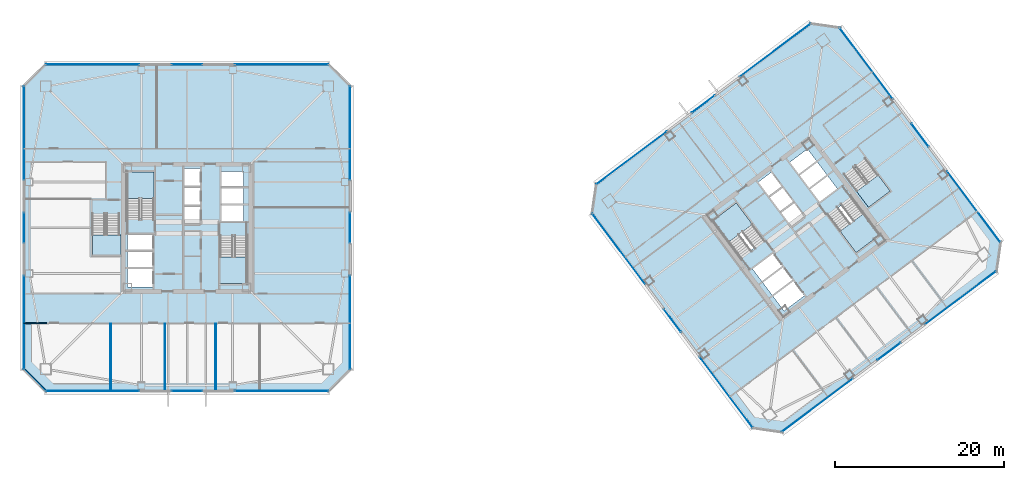
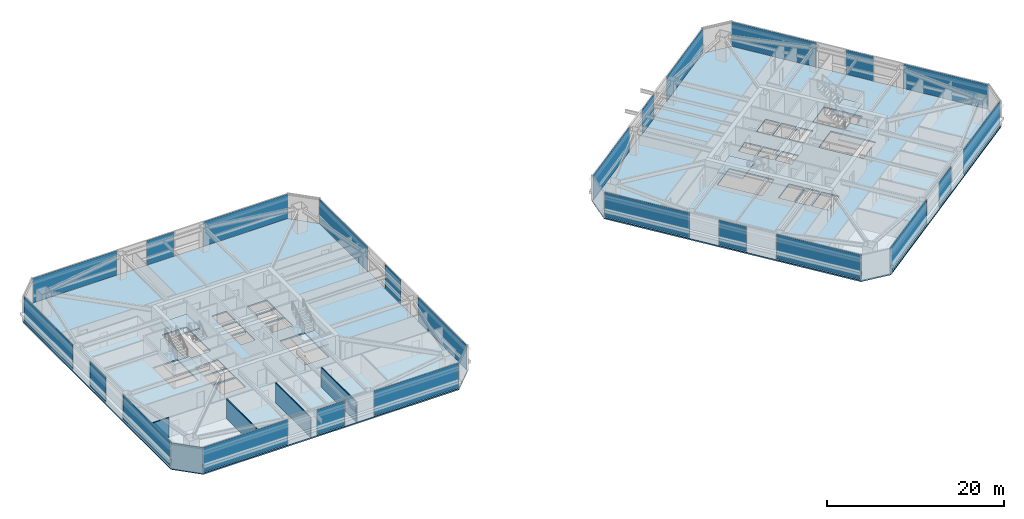
# One storey, part 31 of 42: 24 plates, 8 slabs, 5 walls, 30 elements without a shape of their own.
"""IFC4 building model written with IfcOpenShell, lengths in metres."""

from ifc_helpers import new_model, si_unit, direction, frame, frame_2d, origin, origin_2d, place, context, subcontext, project, spatial, polyline, rectangle, outline, extrude, material, layer, layer_set, type_object, element, aggregate, save


model = new_model("IFC4")

# Units and contexts
model_context = context("Model", 3, precision=1e-05, world=origin(), true_north=direction((0.0, 1.0)))
body_context = subcontext(model_context, "Body", "Model", "MODEL_VIEW")
ifc_project = project(units=[si_unit("LENGTHUNIT", "METRE"), si_unit("AREAUNIT", "SQUARE_METRE"), si_unit("VOLUMEUNIT", "CUBIC_METRE"), si_unit("PLANEANGLEUNIT", "RADIAN"), si_unit("MASSUNIT", "GRAM", prefix="KILO")], contexts=[model_context])

# Site, building, storey
site_placement = place(None, origin())
site = spatial("IfcSite", under=ifc_project, at=site_placement, CompositionType="ELEMENT")
building_placement = place(site_placement, origin())
building = spatial("IfcBuilding", under=site, at=building_placement, Name="Tashvorn Skyway Center", CompositionType="ELEMENT")
storey_placement = place(building_placement, frame((0.0, 0.0, 121.5)))
storey = spatial("IfcBuildingStorey", under=building, at=storey_placement, Name="L32", CompositionType="ELEMENT", Elevation=121.5)

# Curtain wall, plate
ifc_material_1 = material(Name="Thermally broken bronze-anodized aluminium 6063-T6", Category="aluminium")
curtain_wall_type = type_object("IfcCurtainWallType", Name="CW-CW-Z3", PredefinedType="NOTDEFINED", material=ifc_material_1)
curtain_wall_1_placement = place(storey_placement, origin())
curtain_wall_1 = element("IfcCurtainWall", 1, at=curtain_wall_1_placement, inside=storey, type_object=curtain_wall_type, Name="Tower 1 L32 South Unitised Curtain Wall Glazing Group 1", PredefinedType="NOTDEFINED")
ifc_material_2 = material(Name="Low-E solar-control double insulating safety glass", Category="glass")
ifc_layer_1 = layer(ifc_material_2, 0.0400390625)
ifc_layer_set_1 = layer_set([ifc_layer_1], Name="Low-E solar-control double insulating safety glass")
plate_type = type_object("IfcPlateType", Name="CWP-CW-Z3", PredefinedType="CURTAIN_PANEL", material=ifc_layer_set_1)
plate_1_placement = place(storey_placement, frame((53.186767578125, 12.719970703125, 0.074951171875), z_axis=(0.0, 0.0, 1.0), x_axis=(-1.0, 0.0, 0.0)))
plate_1 = element("IfcPlate", 2, at=plate_1_placement, type_object=plate_type, Name="CW-Z3 panel 1.1", PredefinedType="CURTAIN_PANEL", context=body_context, shape_type="SweptSolid", body=[
    extrude(rectangle(XDim=11.03662109375, YDim=0.0400390625, at=origin_2d()), origin(), (0.0, 0.0, 1.0), 3.39990234375),
])
aggregate(curtain_wall_1, [plate_1])

curtain_wall_2_placement = place(storey_placement, origin())
curtain_wall_2 = element("IfcCurtainWall", 3, at=curtain_wall_2_placement, inside=storey, type_object=curtain_wall_type, Name="Tower 1 L32 South Unitised Curtain Wall Glazing Group 2", PredefinedType="NOTDEFINED")
plate_2_placement = place(storey_placement, frame((42.0, 12.719970703125, 0.074951171875), z_axis=(0.0, 0.0, 1.0), x_axis=(-1.0, 0.0, 0.0)))
plate_2 = element("IfcPlate", 4, at=plate_2_placement, type_object=plate_type, Name="CW-Z3 panel 1.1", PredefinedType="CURTAIN_PANEL", context=body_context, shape_type="SweptSolid", body=[
    extrude(rectangle(XDim=3.578857421875, YDim=0.0400390625, at=origin_2d()), origin(), (0.0, 0.0, 1.0), 3.39990234375),
])
aggregate(curtain_wall_2, [plate_2])

curtain_wall_3_placement = place(storey_placement, origin())
curtain_wall_3 = element("IfcCurtainWall", 5, at=curtain_wall_3_placement, inside=storey, type_object=curtain_wall_type, Name="Tower 1 L32 South Unitised Curtain Wall Glazing Group 3", PredefinedType="NOTDEFINED")
plate_3_placement = place(storey_placement, frame((30.813232421875, 12.719970703125, 0.074951171875), z_axis=(0.0, 0.0, 1.0), x_axis=(-1.0, 0.0, 0.0)))
plate_3 = element("IfcPlate", 6, at=plate_3_placement, type_object=plate_type, Name="CW-Z3 panel 1.1", PredefinedType="CURTAIN_PANEL", context=body_context, shape_type="SweptSolid", body=[
    extrude(rectangle(XDim=11.03662109375, YDim=0.0400390625, at=origin_2d()), origin(), (0.0, 0.0, 1.0), 3.39990234375),
])
aggregate(curtain_wall_3, [plate_3])

curtain_wall_4_placement = place(storey_placement, origin())
curtain_wall_4 = element("IfcCurtainWall", 7, at=curtain_wall_4_placement, inside=storey, type_object=curtain_wall_type, Name="Tower 1 L32 West Unitised Curtain Wall Glazing Group 1", PredefinedType="NOTDEFINED")
plate_4_placement = place(storey_placement, frame((22.719970703125, 20.813232421875, 0.074951171875), z_axis=(0.0, 0.0, 1.0), x_axis=(0.0, 1.0, 0.0)))
plate_4 = element("IfcPlate", 8, at=plate_4_placement, type_object=plate_type, Name="CW-Z3 panel 1.1", PredefinedType="CURTAIN_PANEL", context=body_context, shape_type="SweptSolid", body=[
    extrude(rectangle(XDim=11.03662109375, YDim=0.0400390625, at=origin_2d()), origin(), (0.0, 0.0, 1.0), 3.39990234375),
])
aggregate(curtain_wall_4, [plate_4])

curtain_wall_5_placement = place(storey_placement, origin())
curtain_wall_5 = element("IfcCurtainWall", 9, at=curtain_wall_5_placement, inside=storey, type_object=curtain_wall_type, Name="Tower 1 L32 West Unitised Curtain Wall Glazing Group 2", PredefinedType="NOTDEFINED")
plate_5_placement = place(storey_placement, frame((22.719970703125, 32.0, 0.074951171875), z_axis=(0.0, 0.0, 1.0), x_axis=(0.0, 1.0, 0.0)))
plate_5 = element("IfcPlate", 10, at=plate_5_placement, type_object=plate_type, Name="CW-Z3 panel 1.1", PredefinedType="CURTAIN_PANEL", context=body_context, shape_type="SweptSolid", body=[
    extrude(rectangle(XDim=3.578857421875, YDim=0.0400390625, at=origin_2d()), origin(), (0.0, 0.0, 1.0), 3.39990234375),
])
aggregate(curtain_wall_5, [plate_5])

curtain_wall_6_placement = place(storey_placement, origin())
curtain_wall_6 = element("IfcCurtainWall", 11, at=curtain_wall_6_placement, inside=storey, type_object=curtain_wall_type, Name="Tower 1 L32 West Unitised Curtain Wall Glazing Group 3", PredefinedType="NOTDEFINED")
plate_6_placement = place(storey_placement, frame((22.719970703125, 43.186767578125, 0.074951171875), z_axis=(0.0, 0.0, 1.0), x_axis=(0.0, 1.0, 0.0)))
plate_6 = element("IfcPlate", 12, at=plate_6_placement, type_object=plate_type, Name="CW-Z3 panel 1.1", PredefinedType="CURTAIN_PANEL", context=body_context, shape_type="SweptSolid", body=[
    extrude(rectangle(XDim=11.03662109375, YDim=0.0400390625, at=origin_2d()), origin(), (0.0, 0.0, 1.0), 3.39990234375),
])
aggregate(curtain_wall_6, [plate_6])

curtain_wall_7_placement = place(storey_placement, origin())
curtain_wall_7 = element("IfcCurtainWall", 13, at=curtain_wall_7_placement, inside=storey, type_object=curtain_wall_type, Name="Tower 1 L32 North Unitised Curtain Wall Glazing Group 1", PredefinedType="NOTDEFINED")
plate_7_placement = place(storey_placement, frame((30.813232421875, 51.280029296875, 0.074951171875), z_axis=(0.0, 0.0, 1.0), x_axis=(1.0, 0.0, 0.0)))
plate_7 = element("IfcPlate", 14, at=plate_7_placement, type_object=plate_type, Name="CW-Z3 panel 1.1", PredefinedType="CURTAIN_PANEL", context=body_context, shape_type="SweptSolid", body=[
    extrude(rectangle(XDim=11.03662109375, YDim=0.0400390625, at=origin_2d()), origin(), (0.0, 0.0, 1.0), 3.39990234375),
])
aggregate(curtain_wall_7, [plate_7])

curtain_wall_8_placement = place(storey_placement, origin())
curtain_wall_8 = element("IfcCurtainWall", 15, at=curtain_wall_8_placement, inside=storey, type_object=curtain_wall_type, Name="Tower 1 L32 North Unitised Curtain Wall Glazing Group 2", PredefinedType="NOTDEFINED")
plate_8_placement = place(storey_placement, frame((42.0, 51.280029296875, 0.074951171875), z_axis=(0.0, 0.0, 1.0), x_axis=(1.0, 0.0, 0.0)))
plate_8 = element("IfcPlate", 16, at=plate_8_placement, type_object=plate_type, Name="CW-Z3 panel 1.1", PredefinedType="CURTAIN_PANEL", context=body_context, shape_type="SweptSolid", body=[
    extrude(rectangle(XDim=3.578857421875, YDim=0.0400390625, at=origin_2d()), origin(), (0.0, 0.0, 1.0), 3.39990234375),
])
aggregate(curtain_wall_8, [plate_8])

curtain_wall_9_placement = place(storey_placement, origin())
curtain_wall_9 = element("IfcCurtainWall", 17, at=curtain_wall_9_placement, inside=storey, type_object=curtain_wall_type, Name="Tower 1 L32 North Unitised Curtain Wall Glazing Group 3", PredefinedType="NOTDEFINED")
plate_9_placement = place(storey_placement, frame((53.186767578125, 51.280029296875, 0.074951171875), z_axis=(0.0, 0.0, 1.0), x_axis=(1.0, 0.0, 0.0)))
plate_9 = element("IfcPlate", 18, at=plate_9_placement, type_object=plate_type, Name="CW-Z3 panel 1.1", PredefinedType="CURTAIN_PANEL", context=body_context, shape_type="SweptSolid", body=[
    extrude(rectangle(XDim=11.03662109375, YDim=0.0400390625, at=origin_2d()), origin(), (0.0, 0.0, 1.0), 3.39990234375),
])
aggregate(curtain_wall_9, [plate_9])

curtain_wall_10_placement = place(storey_placement, origin())
curtain_wall_10 = element("IfcCurtainWall", 19, at=curtain_wall_10_placement, inside=storey, type_object=curtain_wall_type, Name="Tower 1 L32 East Unitised Curtain Wall Glazing Group 1", PredefinedType="NOTDEFINED")
plate_10_placement = place(storey_placement, frame((61.280029296875, 43.186767578125, 0.074951171875), z_axis=(0.0, 0.0, 1.0), x_axis=(0.0, -1.0, 0.0)))
plate_10 = element("IfcPlate", 20, at=plate_10_placement, type_object=plate_type, Name="CW-Z3 panel 1.1", PredefinedType="CURTAIN_PANEL", context=body_context, shape_type="SweptSolid", body=[
    extrude(rectangle(XDim=11.03662109375, YDim=0.0400390625, at=origin_2d()), origin(), (0.0, 0.0, 1.0), 3.39990234375),
])
aggregate(curtain_wall_10, [plate_10])

curtain_wall_11_placement = place(storey_placement, origin())
curtain_wall_11 = element("IfcCurtainWall", 21, at=curtain_wall_11_placement, inside=storey, type_object=curtain_wall_type, Name="Tower 1 L32 East Unitised Curtain Wall Glazing Group 2", PredefinedType="NOTDEFINED")
plate_11_placement = place(storey_placement, frame((61.280029296875, 32.0, 0.074951171875), z_axis=(0.0, 0.0, 1.0), x_axis=(0.0, -1.0, 0.0)))
plate_11 = element("IfcPlate", 22, at=plate_11_placement, type_object=plate_type, Name="CW-Z3 panel 1.1", PredefinedType="CURTAIN_PANEL", context=body_context, shape_type="SweptSolid", body=[
    extrude(rectangle(XDim=3.578857421875, YDim=0.0400390625, at=origin_2d()), origin(), (0.0, 0.0, 1.0), 3.39990234375),
])
aggregate(curtain_wall_11, [plate_11])

curtain_wall_12_placement = place(storey_placement, origin())
curtain_wall_12 = element("IfcCurtainWall", 23, at=curtain_wall_12_placement, inside=storey, type_object=curtain_wall_type, Name="Tower 1 L32 East Unitised Curtain Wall Glazing Group 3", PredefinedType="NOTDEFINED")
plate_12_placement = place(storey_placement, frame((61.280029296875, 20.813232421875, 0.074951171875), z_axis=(0.0, 0.0, 1.0), x_axis=(0.0, -1.0, 0.0)))
plate_12 = element("IfcPlate", 24, at=plate_12_placement, type_object=plate_type, Name="CW-Z3 panel 1.1", PredefinedType="CURTAIN_PANEL", context=body_context, shape_type="SweptSolid", body=[
    extrude(rectangle(XDim=11.03662109375, YDim=0.0400390625, at=origin_2d()), origin(), (0.0, 0.0, 1.0), 3.39990234375),
])
aggregate(curtain_wall_12, [plate_12])

curtain_wall_13_placement = place(storey_placement, origin())
curtain_wall_13 = element("IfcCurtainWall", 25, at=curtain_wall_13_placement, inside=storey, type_object=curtain_wall_type, Name="Tower 2 L32 South Unitised Curtain Wall Glazing Group 1", PredefinedType="NOTDEFINED")
plate_13_placement = place(storey_placement, frame((133.437255859375, 23.72802734375, 0.074951171875), z_axis=(0.0, 0.0, 1.0), x_axis=(-0.799998866489, -0.600001511345, 0.0)))
plate_13 = element("IfcPlate", 26, at=plate_13_placement, type_object=plate_type, Name="CW-Z3 panel 1.1", PredefinedType="CURTAIN_PANEL", context=body_context, shape_type="SweptSolid", body=[
    extrude(rectangle(XDim=10.4365234375, YDim=0.0400390625, at=origin_2d()), origin(), (0.0, 0.0, 1.0), 3.39990234375),
])
aggregate(curtain_wall_13, [plate_13])

curtain_wall_14_placement = place(storey_placement, origin())
curtain_wall_14 = element("IfcCurtainWall", 27, at=curtain_wall_14_placement, inside=storey, type_object=curtain_wall_type, Name="Tower 2 L32 South Unitised Curtain Wall Glazing Group 2", PredefinedType="NOTDEFINED")
plate_14_placement = place(storey_placement, frame((124.968017578125, 17.3759765625, 0.074951171875), z_axis=(0.0, 0.0, 1.0), x_axis=(-0.799999999998, -0.600000000002, 0.0)))
plate_14 = element("IfcPlate", 28, at=plate_14_placement, type_object=plate_type, Name="CW-Z3 panel 1.1", PredefinedType="CURTAIN_PANEL", context=body_context, shape_type="SweptSolid", body=[
    extrude(rectangle(XDim=3.37890625, YDim=0.0400390625, at=origin_2d()), origin(), (0.0, 0.0, 1.0), 3.39990234375),
])
aggregate(curtain_wall_14, [plate_14])

curtain_wall_15_placement = place(storey_placement, origin())
curtain_wall_15 = element("IfcCurtainWall", 29, at=curtain_wall_15_placement, inside=storey, type_object=curtain_wall_type, Name="Tower 2 L32 South Unitised Curtain Wall Glazing Group 3", PredefinedType="NOTDEFINED")
plate_15_placement = place(storey_placement, frame((116.49853515625, 11.02392578125, 0.074951171875), z_axis=(0.0, 0.0, 1.0), x_axis=(-0.799998866489, -0.600001511345, 0.0)))
plate_15 = element("IfcPlate", 30, at=plate_15_placement, type_object=plate_type, Name="CW-Z3 panel 1.1", PredefinedType="CURTAIN_PANEL", context=body_context, shape_type="SweptSolid", body=[
    extrude(rectangle(XDim=10.4365234375, YDim=0.0400390625, at=origin_2d()), origin(), (0.0, 0.0, 1.0), 3.39990234375),
])
aggregate(curtain_wall_15, [plate_15])

curtain_wall_16_placement = place(storey_placement, origin())
curtain_wall_16 = element("IfcCurtainWall", 31, at=curtain_wall_16_placement, inside=storey, type_object=curtain_wall_type, Name="Tower 2 L32 West Unitised Curtain Wall Glazing Group 1", PredefinedType="NOTDEFINED")
plate_16_placement = place(storey_placement, frame((105.72802734375, 12.562744140625, 0.074951171875), z_axis=(0.0, 0.0, 1.0), x_axis=(-0.600001511345, 0.799998866489, 0.0)))
plate_16 = element("IfcPlate", 32, at=plate_16_placement, type_object=plate_type, Name="CW-Z3 panel 1.1", PredefinedType="CURTAIN_PANEL", context=body_context, shape_type="SweptSolid", body=[
    extrude(rectangle(XDim=10.4365234375, YDim=0.0400390625, at=origin_2d()), origin(), (0.0, 0.0, 1.0), 3.39990234375),
])
aggregate(curtain_wall_16, [plate_16])

curtain_wall_17_placement = place(storey_placement, origin())
curtain_wall_17 = element("IfcCurtainWall", 33, at=curtain_wall_17_placement, inside=storey, type_object=curtain_wall_type, Name="Tower 2 L32 West Unitised Curtain Wall Glazing Group 2", PredefinedType="NOTDEFINED")
plate_17_placement = place(storey_placement, frame((99.3759765625, 21.031982421875, 0.074951171875), z_axis=(0.0, 0.0, 1.0), x_axis=(-0.600000000002, 0.799999999998, 0.0)))
plate_17 = element("IfcPlate", 34, at=plate_17_placement, type_object=plate_type, Name="CW-Z3 panel 1.1", PredefinedType="CURTAIN_PANEL", context=body_context, shape_type="SweptSolid", body=[
    extrude(rectangle(XDim=3.37890625, YDim=0.0400390625, at=origin_2d()), origin(), (0.0, 0.0, 1.0), 3.39990234375),
])
aggregate(curtain_wall_17, [plate_17])

curtain_wall_18_placement = place(storey_placement, origin())
curtain_wall_18 = element("IfcCurtainWall", 35, at=curtain_wall_18_placement, inside=storey, type_object=curtain_wall_type, Name="Tower 2 L32 West Unitised Curtain Wall Glazing Group 3", PredefinedType="NOTDEFINED")
plate_18_placement = place(storey_placement, frame((93.02392578125, 29.50146484375, 0.074951171875), z_axis=(0.0, 0.0, 1.0), x_axis=(-0.600001511345, 0.799998866489, 0.0)))
plate_18 = element("IfcPlate", 36, at=plate_18_placement, type_object=plate_type, Name="CW-Z3 panel 1.1", PredefinedType="CURTAIN_PANEL", context=body_context, shape_type="SweptSolid", body=[
    extrude(rectangle(XDim=10.4365234375, YDim=0.0400390625, at=origin_2d()), origin(), (0.0, 0.0, 1.0), 3.39990234375),
])
aggregate(curtain_wall_18, [plate_18])

curtain_wall_19_placement = place(storey_placement, origin())
curtain_wall_19 = element("IfcCurtainWall", 37, at=curtain_wall_19_placement, inside=storey, type_object=curtain_wall_type, Name="Tower 2 L32 North Unitised Curtain Wall Glazing Group 1", PredefinedType="NOTDEFINED")
plate_19_placement = place(storey_placement, frame((94.562744140625, 40.27197265625, 0.074951171875), z_axis=(0.0, 0.0, 1.0), x_axis=(0.799998866489, 0.600001511345, 0.0)))
plate_19 = element("IfcPlate", 38, at=plate_19_placement, type_object=plate_type, Name="CW-Z3 panel 1.1", PredefinedType="CURTAIN_PANEL", context=body_context, shape_type="SweptSolid", body=[
    extrude(rectangle(XDim=10.4365234375, YDim=0.0400390625, at=origin_2d()), origin(), (0.0, 0.0, 1.0), 3.39990234375),
])
aggregate(curtain_wall_19, [plate_19])

curtain_wall_20_placement = place(storey_placement, origin())
curtain_wall_20 = element("IfcCurtainWall", 39, at=curtain_wall_20_placement, inside=storey, type_object=curtain_wall_type, Name="Tower 2 L32 North Unitised Curtain Wall Glazing Group 2", PredefinedType="NOTDEFINED")
plate_20_placement = place(storey_placement, frame((103.031982421875, 46.6240234375, 0.074951171875), z_axis=(0.0, 0.0, 1.0), x_axis=(0.799999999998, 0.600000000002, 0.0)))
plate_20 = element("IfcPlate", 40, at=plate_20_placement, type_object=plate_type, Name="CW-Z3 panel 1.1", PredefinedType="CURTAIN_PANEL", context=body_context, shape_type="SweptSolid", body=[
    extrude(rectangle(XDim=3.37890625, YDim=0.0400390625, at=origin_2d()), origin(), (0.0, 0.0, 1.0), 3.39990234375),
])
aggregate(curtain_wall_20, [plate_20])

curtain_wall_21_placement = place(storey_placement, origin())
curtain_wall_21 = element("IfcCurtainWall", 41, at=curtain_wall_21_placement, inside=storey, type_object=curtain_wall_type, Name="Tower 2 L32 North Unitised Curtain Wall Glazing Group 3", PredefinedType="NOTDEFINED")
plate_21_placement = place(storey_placement, frame((111.50146484375, 52.97607421875, 0.074951171875), z_axis=(0.0, 0.0, 1.0), x_axis=(0.799998866489, 0.600001511345, 0.0)))
plate_21 = element("IfcPlate", 42, at=plate_21_placement, type_object=plate_type, Name="CW-Z3 panel 1.1", PredefinedType="CURTAIN_PANEL", context=body_context, shape_type="SweptSolid", body=[
    extrude(rectangle(XDim=10.4365234375, YDim=0.0400390625, at=origin_2d()), origin(), (0.0, 0.0, 1.0), 3.39990234375),
])
aggregate(curtain_wall_21, [plate_21])

curtain_wall_22_placement = place(storey_placement, origin())
curtain_wall_22 = element("IfcCurtainWall", 43, at=curtain_wall_22_placement, inside=storey, type_object=curtain_wall_type, Name="Tower 2 L32 East Unitised Curtain Wall Glazing Group 1", PredefinedType="NOTDEFINED")
plate_22_placement = place(storey_placement, frame((122.27197265625, 51.437255859375, 0.074951171875), z_axis=(0.0, 0.0, 1.0), x_axis=(0.600001511345, -0.799998866489, 0.0)))
plate_22 = element("IfcPlate", 44, at=plate_22_placement, type_object=plate_type, Name="CW-Z3 panel 1.1", PredefinedType="CURTAIN_PANEL", context=body_context, shape_type="SweptSolid", body=[
    extrude(rectangle(XDim=10.4365234375, YDim=0.0400390625, at=origin_2d()), origin(), (0.0, 0.0, 1.0), 3.39990234375),
])
aggregate(curtain_wall_22, [plate_22])

curtain_wall_23_placement = place(storey_placement, origin())
curtain_wall_23 = element("IfcCurtainWall", 45, at=curtain_wall_23_placement, inside=storey, type_object=curtain_wall_type, Name="Tower 2 L32 East Unitised Curtain Wall Glazing Group 2", PredefinedType="NOTDEFINED")
plate_23_placement = place(storey_placement, frame((128.6240234375, 42.968017578125, 0.074951171875), z_axis=(0.0, 0.0, 1.0), x_axis=(0.600000000002, -0.799999999998, 0.0)))
plate_23 = element("IfcPlate", 46, at=plate_23_placement, type_object=plate_type, Name="CW-Z3 panel 1.1", PredefinedType="CURTAIN_PANEL", context=body_context, shape_type="SweptSolid", body=[
    extrude(rectangle(XDim=3.37890625, YDim=0.0400390625, at=origin_2d()), origin(), (0.0, 0.0, 1.0), 3.39990234375),
])
aggregate(curtain_wall_23, [plate_23])

curtain_wall_24_placement = place(storey_placement, origin())
curtain_wall_24 = element("IfcCurtainWall", 47, at=curtain_wall_24_placement, inside=storey, type_object=curtain_wall_type, Name="Tower 2 L32 East Unitised Curtain Wall Glazing Group 3", PredefinedType="NOTDEFINED")
plate_24_placement = place(storey_placement, frame((134.97607421875, 34.49853515625, 0.074951171875), z_axis=(0.0, 0.0, 1.0), x_axis=(0.600001511345, -0.799998866489, 0.0)))
plate_24 = element("IfcPlate", 48, at=plate_24_placement, type_object=plate_type, Name="CW-Z3 panel 1.1", PredefinedType="CURTAIN_PANEL", context=body_context, shape_type="SweptSolid", body=[
    extrude(rectangle(XDim=10.4365234375, YDim=0.0400390625, at=origin_2d()), origin(), (0.0, 0.0, 1.0), 3.39990234375),
])
aggregate(curtain_wall_24, [plate_24])

# Slabs
ifc_material_3 = material(Name="Concrete C40/50", Category="concrete")
ifc_layer_2 = layer(ifc_material_3, 0.179931640625)
ifc_layer_set_2 = layer_set([ifc_layer_2], Name="Concrete C40/50")
slab_type_1 = type_object("IfcSlabType", Name="SLAB-FLR-180", PredefinedType="FLOOR", material=ifc_layer_set_2)
slab_1_placement = place(storey_placement, frame((0.0, 0.0, -0.179931640625)))
element("IfcSlab", 49, at=slab_1_placement, inside=storey, type_object=slab_type_1, Name="Tower 1 L32 Composite Floor Slab", PredefinedType="FLOOR", context=body_context, shape_type="SweptSolid", body=[
    extrude(outline(polyline([(25.300048828125, 12.60009765625), (58.699951171875, 12.60009765625), (61.39990234375, 15.300048828125), (61.39990234375, 48.699951171875), (58.699951171875, 51.39990234375), (25.300048828125, 51.39990234375), (22.60009765625, 48.699951171875), (22.60009765625, 15.300048828125), (25.300048828125, 12.60009765625)]), holes=[polyline([(38.10009765625, 33.080078125), (38.10009765625, 38.60009765625), (34.89990234375, 38.60009765625), (34.89990234375, 33.080078125), (38.10009765625, 33.080078125)]), polyline([(45.89990234375, 30.919921875), (45.89990234375, 25.39990234375), (49.10009765625, 25.39990234375), (49.10009765625, 30.919921875), (45.89990234375, 30.919921875)]), polyline([(30.800048828125, 33.52001953125), (30.800048828125, 28.800048828125), (34.0, 28.800048828125), (34.0, 33.52001953125), (30.800048828125, 33.52001953125)]), polyline([(34.949951171875, 29.35009765625), (37.949951171875, 29.35009765625), (37.949951171875, 31.199951171875), (34.949951171875, 31.199951171875), (34.949951171875, 29.35009765625)]), polyline([(34.949951171875, 27.35009765625), (37.949951171875, 27.35009765625), (37.949951171875, 29.199951171875), (34.949951171875, 29.199951171875), (34.949951171875, 27.35009765625)]), polyline([(34.949951171875, 25.0), (37.949951171875, 25.0), (37.949951171875, 27.14990234375), (34.949951171875, 27.14990234375), (34.949951171875, 25.0)]), polyline([(41.64990234375, 32.449951171875), (43.550048828125, 32.449951171875), (43.550048828125, 34.5), (41.64990234375, 34.5), (41.64990234375, 32.449951171875)]), polyline([(41.64990234375, 34.699951171875), (43.550048828125, 34.699951171875), (43.550048828125, 36.75), (41.64990234375, 36.75), (41.64990234375, 34.699951171875)]), polyline([(41.64990234375, 36.949951171875), (43.550048828125, 36.949951171875), (43.550048828125, 39.0), (41.64990234375, 39.0), (41.64990234375, 36.949951171875)]), polyline([(46.050048828125, 32.800048828125), (48.64990234375, 32.800048828125), (48.64990234375, 34.64990234375), (46.050048828125, 34.64990234375), (46.050048828125, 32.800048828125)]), polyline([(46.050048828125, 34.85009765625), (48.64990234375, 34.85009765625), (48.64990234375, 36.699951171875), (46.050048828125, 36.699951171875), (46.050048828125, 34.85009765625)]), polyline([(46.050048828125, 36.89990234375), (48.64990234375, 36.89990234375), (48.64990234375, 38.64990234375), (46.050048828125, 38.64990234375), (46.050048828125, 36.89990234375)])]), origin(), (0.0, 0.0, 1.0), 0.179931640625),
])
slab_2_placement = place(storey_placement, frame((0.0, 0.0, -0.179931640625)))
element("IfcSlab", 50, at=slab_2_placement, inside=storey, type_object=slab_type_1, Name="Tower 2 L32 Composite Floor Slab", PredefinedType="FLOOR", context=body_context, shape_type="SweptSolid", body=[
    extrude(outline(polyline([(112.39990234375, 7.800048828125), (137.679931640625, 26.760009765625), (138.199951171875, 30.39990234375), (119.239990234375, 55.679931640625), (115.60009765625, 56.199951171875), (90.320068359375, 37.239990234375), (89.800048828125, 33.60009765625), (108.760009765625, 8.320068359375), (112.39990234375, 7.800048828125)]), holes=[polyline([(110.23193359375, 30.52392578125), (106.919921875, 34.93994140625), (104.135986328125, 32.85205078125), (107.447998046875, 28.43603515625), (110.23193359375, 30.52392578125)]), polyline([(117.76806640625, 33.47607421875), (121.080078125, 29.06005859375), (123.864013671875, 31.14794921875), (120.552001953125, 35.56396484375), (117.76806640625, 33.47607421875)]), polyline([(119.7119140625, 38.18408203125), (122.5439453125, 34.407958984375), (125.10400390625, 36.327880859375), (122.27197265625, 40.10400390625), (119.7119140625, 38.18408203125)]), polyline([(109.949951171875, 25.64990234375), (112.35009765625, 27.449951171875), (111.239990234375, 28.929931640625), (108.840087890625, 27.1298828125), (109.949951171875, 25.64990234375)]), polyline([(111.14990234375, 24.050048828125), (113.550048828125, 25.85009765625), (112.43994140625, 27.330078125), (110.0400390625, 25.530029296875), (111.14990234375, 24.050048828125)]), polyline([(112.56005859375, 22.169921875), (114.9599609375, 23.969970703125), (113.669921875, 25.68994140625), (111.27001953125, 23.889892578125), (112.56005859375, 22.169921875)]), polyline([(113.449951171875, 32.14990234375), (114.969970703125, 33.2900390625), (113.739990234375, 34.929931640625), (112.219970703125, 33.7900390625), (113.449951171875, 32.14990234375)]), polyline([(112.10009765625, 33.949951171875), (113.6201171875, 35.090087890625), (112.389892578125, 36.72998046875), (110.8701171875, 35.590087890625), (112.10009765625, 33.949951171875)]), polyline([(110.75, 35.75), (112.27001953125, 36.889892578125), (111.0400390625, 38.530029296875), (109.52001953125, 37.389892578125), (110.75, 35.75)]), polyline([(116.760009765625, 35.070068359375), (118.840087890625, 36.6298828125), (117.72998046875, 38.110107421875), (115.64990234375, 36.550048828125), (116.760009765625, 35.070068359375)]), polyline([(115.530029296875, 36.7099609375), (117.610107421875, 38.27001953125), (116.5, 39.75), (114.419921875, 38.18994140625), (115.530029296875, 36.7099609375)]), polyline([(114.300048828125, 38.35009765625), (116.3798828125, 39.909912109375), (115.330078125, 41.31005859375), (113.25, 39.75), (114.300048828125, 38.35009765625)])]), origin(), (0.0, 0.0, 1.0), 0.179931640625),
])

# Stair, slab
stair_type = type_object("IfcStairType", Name="STAIR-CORE-1500", PredefinedType="HALF_TURN_STAIR", material=ifc_material_3)
stair_1_placement = place(storey_placement, origin())
stair_1 = element("IfcStair", 51, at=stair_1_placement, inside=storey, type_object=stair_type, Name="L32 Tower 1 Exit Stair 1", PredefinedType="HALF_TURN_STAIR")
ifc_layer_3 = layer(ifc_material_3, 0.199951171875)
ifc_layer_set_3 = layer_set([ifc_layer_3], Name="Concrete C40/50")
slab_type_2 = type_object("IfcSlabType", Name="SLAB-LAND-200", PredefinedType="LANDING", material=ifc_layer_set_3)
slab_3_placement = place(storey_placement, frame((0.0, 0.0, 1.574951171875)))
slab_3 = element("IfcSlab", 52, at=slab_3_placement, type_object=slab_type_2, Name="ST-T1-1 landing 1", PredefinedType="LANDING", context=body_context, shape_type="SweptSolid", body=[
    extrude(outline(polyline([(38.10009765625, 35.43994140625), (38.10009765625, 38.60009765625), (34.89990234375, 38.60009765625), (34.89990234375, 35.43994140625), (38.10009765625, 35.43994140625)])), origin(), (0.0, 0.0, 1.0), 0.199951171875),
])
aggregate(stair_1, [slab_3])

stair_2_placement = place(storey_placement, origin())
stair_2 = element("IfcStair", 53, at=stair_2_placement, inside=storey, type_object=stair_type, Name="L32 Tower 1 Exit Stair 2", PredefinedType="HALF_TURN_STAIR")
slab_4_placement = place(storey_placement, frame((0.0, 0.0, 1.574951171875)))
slab_4 = element("IfcSlab", 54, at=slab_4_placement, type_object=slab_type_2, Name="ST-T1-2 landing 1", PredefinedType="LANDING", context=body_context, shape_type="SweptSolid", body=[
    extrude(outline(polyline([(45.89990234375, 28.56005859375), (45.89990234375, 25.39990234375), (49.10009765625, 25.39990234375), (49.10009765625, 28.56005859375), (45.89990234375, 28.56005859375)])), origin(), (0.0, 0.0, 1.0), 0.199951171875),
])
aggregate(stair_2, [slab_4])

stair_3_placement = place(storey_placement, origin())
stair_3 = element("IfcStair", 55, at=stair_3_placement, inside=storey, type_object=stair_type, Name="L32 Tower 2 Exit Stair 1", PredefinedType="HALF_TURN_STAIR")
slab_5_placement = place(storey_placement, frame((0.0, 0.0, 1.574951171875)))
slab_5 = element("IfcSlab", 56, at=slab_5_placement, type_object=slab_type_2, Name="ST-T2-1 landing 1", PredefinedType="LANDING", context=body_context, shape_type="SweptSolid", body=[
    extrude(outline(polyline([(108.82080078125, 32.405517578125), (106.919921875, 34.93994140625), (104.135986328125, 32.85205078125), (106.036865234375, 30.317626953125), (108.82080078125, 32.405517578125)])), origin(), (0.0, 0.0, 1.0), 0.199951171875),
])
aggregate(stair_3, [slab_5])

stair_4_placement = place(storey_placement, origin())
stair_4 = element("IfcStair", 57, at=stair_4_placement, inside=storey, type_object=stair_type, Name="L32 Tower 2 Exit Stair 2", PredefinedType="HALF_TURN_STAIR")
slab_6_placement = place(storey_placement, frame((0.0, 0.0, 1.574951171875)))
slab_6 = element("IfcSlab", 58, at=slab_6_placement, type_object=slab_type_2, Name="ST-T2-2 landing 1", PredefinedType="LANDING", context=body_context, shape_type="SweptSolid", body=[
    extrude(outline(polyline([(119.17919921875, 31.594482421875), (121.080078125, 29.06005859375), (123.864013671875, 31.14794921875), (121.963134765625, 33.682373046875), (119.17919921875, 31.594482421875)])), origin(), (0.0, 0.0, 1.0), 0.199951171875),
])
aggregate(stair_4, [slab_6])

stair_5_placement = place(storey_placement, origin())
stair_5 = element("IfcStair", 59, at=stair_5_placement, inside=storey, type_object=stair_type, Name="L32 Tower 1 Exit Stair 3", PredefinedType="HALF_TURN_STAIR")
slab_7_placement = place(storey_placement, frame((0.0, 0.0, 1.574951171875)))
slab_7 = element("IfcSlab", 60, at=slab_7_placement, type_object=slab_type_2, Name="ST-T1-3 landing 1", PredefinedType="LANDING", context=body_context, shape_type="SweptSolid", body=[
    extrude(outline(polyline([(30.800048828125, 31.159912109375), (30.800048828125, 28.800048828125), (34.199951171875, 28.800048828125), (34.199951171875, 31.159912109375), (30.800048828125, 31.159912109375)])), origin(), (0.0, 0.0, 1.0), 0.199951171875),
])
aggregate(stair_5, [slab_7])

stair_6_placement = place(storey_placement, origin())
stair_6 = element("IfcStair", 61, at=stair_6_placement, inside=storey, type_object=stair_type, Name="L32 Tower 2 Exit Stair 3", PredefinedType="HALF_TURN_STAIR")
slab_8_placement = place(storey_placement, frame((0.0, 0.0, 1.574951171875)))
slab_8 = element("IfcSlab", 62, at=slab_8_placement, type_object=slab_type_2, Name="ST-T2-3 landing 1", PredefinedType="LANDING", context=body_context, shape_type="SweptSolid", body=[
    extrude(outline(polyline([(121.123291015625, 36.302490234375), (122.5439453125, 34.407958984375), (125.10400390625, 36.327880859375), (123.68310546875, 38.222412109375), (121.123291015625, 36.302490234375)])), origin(), (0.0, 0.0, 1.0), 0.199951171875),
])
aggregate(stair_6, [slab_8])

# Walls
ifc_material_4 = material(Name="Precast concrete C40/50", Category="concrete")
ifc_layer_4 = layer(ifc_material_4, 0.280029296875)
ifc_layer_set_4 = layer_set([ifc_layer_4], Name="Precast concrete C40/50")
wall_type_1 = type_object("IfcWallType", Name="WALL-EXT-280", PredefinedType="SOLIDWALL", material=ifc_layer_set_4)
wall_1_placement = place(storey_placement, frame((25.300048828125, 12.699951171875, 0.0), z_axis=(0.0, 0.0, 1.0), x_axis=(-0.707106781187, 0.707106781187, 0.0)))
element("IfcWall", 63, at=wall_1_placement, inside=storey, type_object=wall_type_1, Name="Tower 1 L32 SW Precast Chamfer Wall", PredefinedType="SOLIDWALL", context=body_context, shape_type="SweptSolid", body=[
    extrude(rectangle(XDim=3.677001953125, YDim=0.280029296875, at=frame_2d((1.83837890625, 0.0))), origin(), (0.0, 0.0, 1.0), 3.3701171875),
])
ifc_material_5 = material(Name="Gypsum board on cold-formed steel stud framing", Category="steel")
ifc_layer_5 = layer(ifc_material_5, 0.110107421875)
ifc_layer_set_5 = layer_set([ifc_layer_5], Name="Gypsum board on cold-formed steel stud framing")
wall_type_2 = type_object("IfcWallType", Name="WALL-PART-110", PredefinedType="PARTITIONING", material=ifc_layer_set_5)
for number, where, z_axis, x_axis, name in (
    (64, (33.0, 12.719970703125, 0.0), (0.0, 0.0, 1.0), (0.0, 1.0, 0.0), "Tower 1 L32 South Suite Partition 1"),
    (65, (39.39990234375, 12.719970703125, 0.0), (0.0, 0.0, 1.0), (0.0, 1.0, 0.0), "Tower 1 L32 South Suite Partition 2"),
    (66, (45.39990234375, 12.719970703125, 0.0), (0.0, 0.0, 1.0), (0.0, 1.0, 0.0), "Tower 1 L32 South Suite Partition 3"),
):
    element("IfcWall", number, at=place(storey_placement, frame(where, z_axis=z_axis, x_axis=x_axis)), inside=storey, type_object=wall_type_2, Name=name, PredefinedType="PARTITIONING", context=body_context, shape_type="SweptSolid", body=[
        extrude(rectangle(XDim=7.929931640625, YDim=0.110107421875, at=frame_2d((3.96484375, 0.0))), origin(), (0.0, 0.0, 1.0), 2.722900390625),
    ])
ifc_layer_6 = layer(ifc_material_5, 0.135009765625)
ifc_layer_set_6 = layer_set([ifc_layer_6], Name="Gypsum board on cold-formed steel stud framing")
wall_type_3 = type_object("IfcWallType", Name="WALL-PART-135", PredefinedType="PARTITIONING", material=ifc_layer_set_6)
wall_2_placement = place(storey_placement, frame((22.719970703125, 20.72998046875, 0.0), z_axis=(0.0, 0.0, 1.0), x_axis=(1.0, 0.0, 0.0)))
element("IfcWall", 67, at=wall_2_placement, inside=storey, type_object=wall_type_3, Name="Tower 1 L32 South-West Suite North Wall", PredefinedType="PARTITIONING", context=body_context, shape_type="SweptSolid", body=[
    extrude(rectangle(XDim=2.72998046875, YDim=0.135009765625, at=frame_2d((1.364990234375, 0.0))), origin(), (0.0, 0.0, 1.0), 2.722900390625),
])

save(model, "model.ifc")
